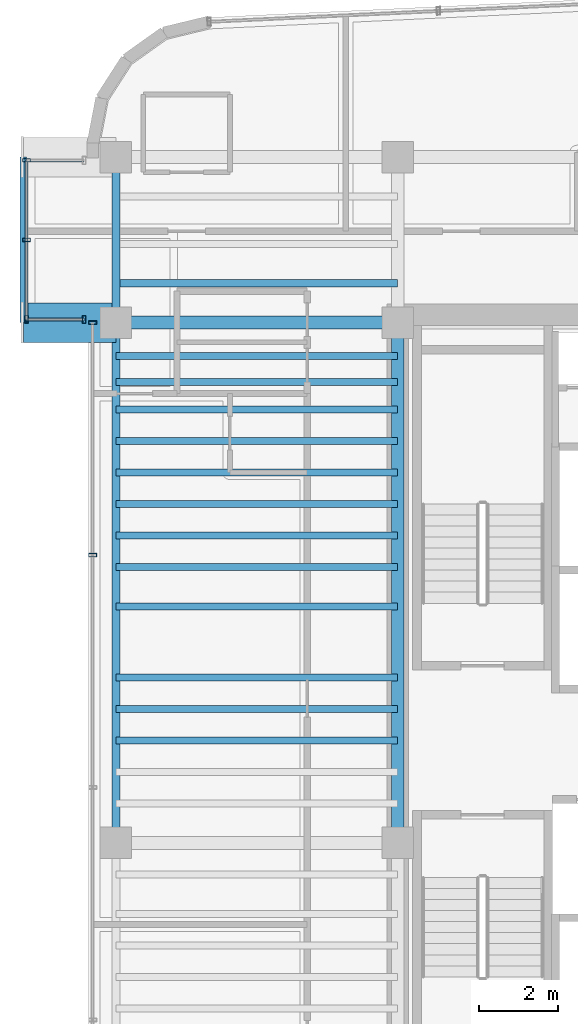
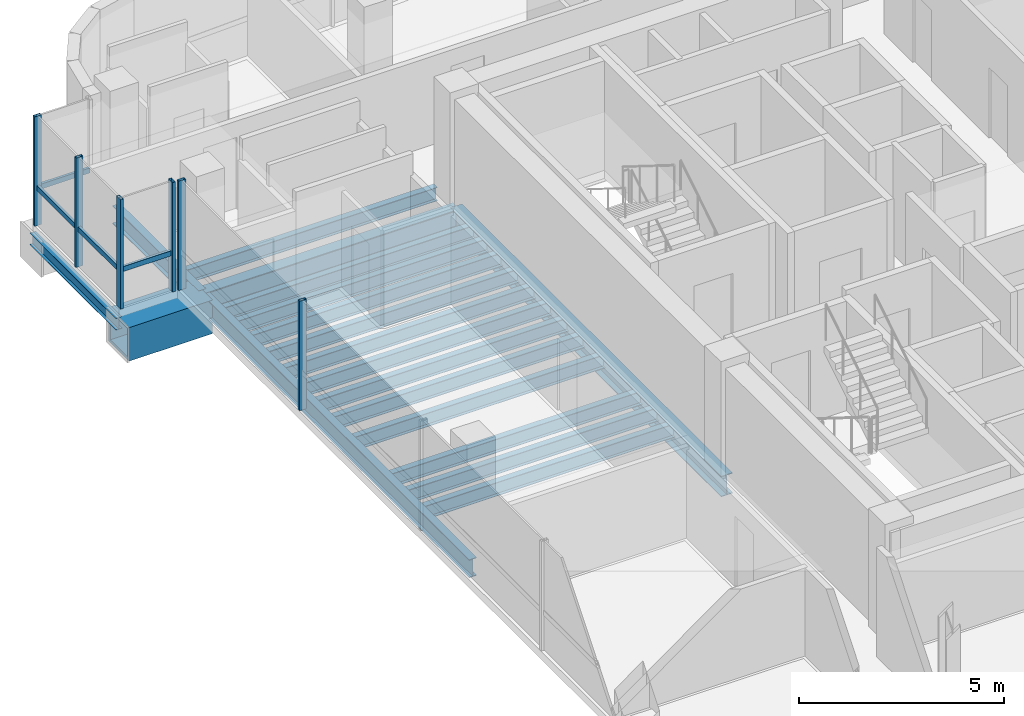
# One storey, part 7 of 20: 19 beams, 9 members, 4 elements without a shape of their own.
"""IFC4 building model written with IfcOpenShell, lengths in metres."""

from ifc_helpers import new_model, si_unit, direction, frame, origin, origin_2d, place, context, subcontext, project, spatial, hollow_rectangle, i_section, extrude, source, transform, mapped, material, material_profile, profile_set, type_object, element, aggregate, save


model = new_model("IFC4")

# Units and contexts
model_context = context("Model", 3, precision=1e-05, world=origin(), true_north=direction((0.0, 1.0)))
body_context = subcontext(model_context, "Body", "Model", "MODEL_VIEW")
ifc_project = project(units=[si_unit("LENGTHUNIT", "METRE"), si_unit("AREAUNIT", "SQUARE_METRE"), si_unit("VOLUMEUNIT", "CUBIC_METRE"), si_unit("PLANEANGLEUNIT", "RADIAN"), si_unit("MASSUNIT", "GRAM", prefix="KILO")], contexts=[model_context])

# Site, building, storey
site_placement = place(None, origin())
site = spatial("IfcSite", under=ifc_project, at=site_placement, CompositionType="ELEMENT")
building_placement = place(site_placement, origin())
building = spatial("IfcBuilding", under=site, at=building_placement, Name="Valdorenza Pilgrim Sanctuary Tower", CompositionType="ELEMENT")
storey_placement = place(building_placement, frame((0.0, 0.0, 283.5)))
storey = spatial("IfcBuildingStorey", under=building, at=storey_placement, Name="L74", CompositionType="ELEMENT", Elevation=283.5)

# Beams
ifc_material_1 = material(Name="Steel ASTM A992 Grade 50", Category="steel")
ifc_material_profile_1 = material_profile(ifc_material_1, i_section(OverallWidth=0.323974609375, OverallDepth=0.611083984375, WebThickness=0.0126953125, FlangeThickness=0.01904296875, at=origin_2d()), Name="W24X104")
ifc_profile_set_1 = profile_set([ifc_material_profile_1], Name="Steel ASTM A992 Grade 50")
beam_type_1 = type_object("IfcBeamType", Name="STR-BM-GRD-W24B", PredefinedType="BEAM", material=ifc_profile_set_1)
shared_shape_1 = source(origin(), body_context, "Body", "SweptSolid", [
    extrude(i_section(OverallWidth=0.323974609375, OverallDepth=0.611083984375, WebThickness=0.0126953125, FlangeThickness=0.01904296875, at=origin_2d()), origin(), (0.0, 0.0, 1.0), 13.2001953125),
])
beam_1_placement = place(storey_placement, frame((-22.64990234375, -2.60009765625, -0.54541015625), z_axis=(0.0, 1.0, 0.0), x_axis=(-1.0, 0.0, 0.0)))
element("IfcBeam", 1, at=beam_1_placement, inside=storey, type_object=beam_type_1, Name="L74 Core Tie Girder CA-W-M0N1", PredefinedType="BEAM", context=body_context, shape_type="MappedRepresentation", body=[
    mapped(shared_shape_1, transform((0.0, 0.0, 0.0), x_axis=(1.0, 0.0, 0.0), y_axis=(0.0, 1.0, 0.0), z_axis=(0.0, 0.0, 1.0), scale=1.0)),
])
ifc_material_profile_2 = material_profile(ifc_material_1, i_section(OverallWidth=0.1708984375, OverallDepth=0.35107421875, WebThickness=0.0068359375, FlangeThickness=0.009765625, at=origin_2d()), Name="W14X30")
ifc_profile_set_2 = profile_set([ifc_material_profile_2], Name="Steel ASTM A992 Grade 50")
beam_type_2 = type_object("IfcBeamType", Name="STR-BM-BOX-W14", PredefinedType="BEAM", material=ifc_profile_set_2)
shared_shape_2 = source(origin(), body_context, "Body", "SweptSolid", [
    extrude(i_section(OverallWidth=0.1708984375, OverallDepth=0.35107421875, WebThickness=0.0068359375, FlangeThickness=0.009765625, at=origin_2d()), origin(), (0.0, 0.0, 1.0), 4.199951171875),
])
beam_2_placement = place(storey_placement, frame((-32.14990234375, 10.60009765625, -0.41552734375), z_axis=(0.0, 1.0, 0.0), x_axis=(-1.0, 0.0, 0.0)))
element("IfcBeam", 2, at=beam_2_placement, inside=storey, type_object=beam_type_2, Name="L74 Glass Box Edge Beam BOX-WA-L74-F", PredefinedType="BEAM", context=body_context, shape_type="MappedRepresentation", body=[
    mapped(shared_shape_2, transform((0.0, 0.0, 0.0), x_axis=(1.0, 0.0, 0.0), y_axis=(0.0, 1.0, 0.0), z_axis=(0.0, 0.0, 1.0), scale=1.0)),
])
ifc_material_profile_3 = material_profile(ifc_material_1, i_section(OverallWidth=0.2109375, OverallDepth=0.5390625, WebThickness=0.01171875, FlangeThickness=0.018798828125, at=origin_2d()), Name="W21X73")
ifc_profile_set_3 = profile_set([ifc_material_profile_3], Name="Steel ASTM A992 Grade 50")
beam_type_3 = type_object("IfcBeamType", Name="STR-BM-SPN-W21B", PredefinedType="SPANDREL", material=ifc_profile_set_3)
shared_shape_3 = source(origin(), body_context, "Body", "SweptSolid", [
    extrude(i_section(OverallWidth=0.2109375, OverallDepth=0.5390625, WebThickness=0.01171875, FlangeThickness=0.018798828125, at=origin_2d()), origin(), (0.0, 0.0, 1.0), 13.2001953125),
])
beam_3_placement = place(storey_placement, frame((-29.800048828125, -2.60009765625, -0.509521484375), z_axis=(0.0, 1.0, 0.0), x_axis=(-1.0, 0.0, 0.0)))
element("IfcBeam", 3, at=beam_3_placement, inside=storey, type_object=beam_type_3, Name="L74 Spandrel Beam WA-W-M0N1", PredefinedType="SPANDREL", context=body_context, shape_type="MappedRepresentation", body=[
    mapped(shared_shape_3, transform((0.0, 0.0, 0.0), x_axis=(1.0, 0.0, 0.0), y_axis=(0.0, 1.0, 0.0), z_axis=(0.0, 0.0, 1.0), scale=1.0)),
])
shared_shape_4 = source(origin(), body_context, "Body", "SweptSolid", [
    extrude(i_section(OverallWidth=0.2109375, OverallDepth=0.5390625, WebThickness=0.01171875, FlangeThickness=0.018798828125, at=origin_2d()), origin(), (0.0, 0.0, 1.0), 4.199951171875),
])
beam_4_placement = place(storey_placement, frame((-29.800048828125, 10.60009765625, -0.509521484375), z_axis=(0.0, 1.0, 0.0), x_axis=(-1.0, 0.0, 0.0)))
element("IfcBeam", 4, at=beam_4_placement, inside=storey, type_object=beam_type_3, Name="L74 Spandrel Beam WA-W-N1N2", PredefinedType="SPANDREL", context=body_context, shape_type="MappedRepresentation", body=[
    mapped(shared_shape_4, transform((0.0, 0.0, 0.0), x_axis=(1.0, 0.0, 0.0), y_axis=(0.0, 1.0, 0.0), z_axis=(0.0, 0.0, 1.0), scale=1.0)),
])
ifc_material_profile_4 = material_profile(ifc_material_1, i_section(OverallWidth=0.177978515625, OverallDepth=0.406005859375, WebThickness=0.0078125, FlangeThickness=0.0126953125, at=origin_2d()), Name="W16X40")
ifc_profile_set_4 = profile_set([ifc_material_profile_4], Name="Steel ASTM A992 Grade 50")
beam_type_4 = type_object("IfcBeamType", Name="STR-BM-JST-W16", PredefinedType="JOIST", material=ifc_profile_set_4)
shared_shape_5 = source(origin(), body_context, "Body", "SweptSolid", [
    extrude(i_section(OverallWidth=0.177978515625, OverallDepth=0.406005859375, WebThickness=0.0078125, FlangeThickness=0.0126953125, at=origin_2d()), origin(), (0.0, 0.0, 1.0), 7.150146484375),
])
for number, where, z_axis, x_axis, name in (
    (5, (-29.800048828125, 0.0, -0.443115234375), (1.0, 0.0, 0.0), (0.0, 1.0, 0.0), "L74 Composite Floor Joist JST-WA-12"),
    (6, (-29.800048828125, 0.800048828125, -0.443115234375), (1.0, 0.0, 0.0), (0.0, 1.0, 0.0), "L74 Composite Floor Joist JST-WA-13"),
    (7, (-29.800048828125, 1.60009765625, -0.443115234375), (1.0, 0.0, 0.0), (0.0, 1.0, 0.0), "L74 Composite Floor Joist JST-WA-14"),
    (8, (-29.800048828125, 3.39990234375, -0.443115234375), (1.0, 0.0, 0.0), (0.0, 1.0, 0.0), "L74 Composite Floor Joist JST-WA-15"),
    (9, (-29.800048828125, 4.39990234375, -0.443115234375), (1.0, 0.0, 0.0), (0.0, 1.0, 0.0), "L74 Composite Floor Joist JST-WA-16"),
    (10, (-29.800048828125, 5.199951171875, -0.443115234375), (1.0, 0.0, 0.0), (0.0, 1.0, 0.0), "L74 Composite Floor Joist JST-WA-17"),
    (11, (-29.800048828125, 6.0, -0.443115234375), (1.0, 0.0, 0.0), (0.0, 1.0, 0.0), "L74 Composite Floor Joist JST-WA-18"),
    (12, (-29.800048828125, 6.800048828125, -0.443115234375), (1.0, 0.0, 0.0), (0.0, 1.0, 0.0), "L74 Composite Floor Joist JST-WA-19"),
    (13, (-29.800048828125, 7.60009765625, -0.443115234375), (1.0, 0.0, 0.0), (0.0, 1.0, 0.0), "L74 Composite Floor Joist JST-WA-20"),
    (14, (-29.800048828125, 8.39990234375, -0.443115234375), (1.0, 0.0, 0.0), (0.0, 1.0, 0.0), "L74 Composite Floor Joist JST-WA-21"),
    (15, (-29.800048828125, 9.10009765625, -0.443115234375), (1.0, 0.0, 0.0), (0.0, 1.0, 0.0), "L74 Composite Floor Joist JST-WA-22"),
    (16, (-29.800048828125, 9.75, -0.443115234375), (1.0, 0.0, 0.0), (0.0, 1.0, 0.0), "L74 Composite Floor Joist JST-WA-23"),
    (17, (-29.800048828125, 11.60009765625, -0.443115234375), (1.0, 0.0, 0.0), (0.0, 1.0, 0.0), "L74 Composite Floor Joist JST-WA-24"),
):
    element("IfcBeam", number, at=place(storey_placement, frame(where, z_axis=z_axis, x_axis=x_axis)), inside=storey, type_object=beam_type_4, Name=name, PredefinedType="JOIST", context=body_context, shape_type="MappedRepresentation", body=[
        mapped(shared_shape_5, transform((0.0, 0.0, 0.0), x_axis=(1.0, 0.0, 0.0), y_axis=(0.0, 1.0, 0.0), z_axis=(0.0, 0.0, 1.0), scale=1.0)),
    ])
ifc_material_2 = material(Name="Steel ASTM A572 Grade 42", Category="steel")
ifc_material_profile_5 = material_profile(ifc_material_2, hollow_rectangle(XDim=1.0, YDim=1.0, WallThickness=0.080078125, at=origin_2d()), Name="BOX 1000x1000x80")
ifc_profile_set_5 = profile_set([ifc_material_profile_5], Name="Steel ASTM A572 Grade 42")
beam_type_5 = type_object("IfcBeamType", Name="STR-BM-PROW-CANT", PredefinedType="BEAM", material=ifc_profile_set_5)
shared_shape_6 = source(origin(), body_context, "Body", "SweptSolid", [
    extrude(hollow_rectangle(XDim=1.0, YDim=1.0, WallThickness=0.080078125, at=origin_2d()), origin(), (0.0, 0.0, 1.0), 2.349853515625),
])
beam_5_placement = place(storey_placement, frame((-29.800048828125, 10.60009765625, -0.739990234375), z_axis=(-1.0, 0.0, 0.0), x_axis=(0.0, -1.0, 0.0)))
element("IfcBeam", 18, at=beam_5_placement, inside=storey, type_object=beam_type_5, Name="L74 Glass Box Cantilever Beam BOX-WA-L74-CT-S", PredefinedType="BEAM", context=body_context, shape_type="MappedRepresentation", body=[
    mapped(shared_shape_6, transform((0.0, 0.0, 0.0), x_axis=(1.0, 0.0, 0.0), y_axis=(0.0, 1.0, 0.0), z_axis=(0.0, 0.0, 1.0), scale=1.0)),
])
ifc_material_profile_6 = material_profile(ifc_material_1, i_section(OverallWidth=0.326904296875, OverallDepth=0.6220703125, WebThickness=0.015380859375, FlangeThickness=0.0244140625, at=origin_2d()), Name="W24X131")
ifc_profile_set_6 = profile_set([ifc_material_profile_6], Name="Steel ASTM A992 Grade 50")
beam_type_6 = type_object("IfcBeamType", Name="STR-BM-GRD-W24A", PredefinedType="BEAM", material=ifc_profile_set_6)
shared_shape_7 = source(origin(), body_context, "Body", "SweptSolid", [
    extrude(i_section(OverallWidth=0.326904296875, OverallDepth=0.6220703125, WebThickness=0.015380859375, FlangeThickness=0.0244140625, at=origin_2d()), origin(), (0.0, 0.0, 1.0), 7.150146484375),
])
beam_6_placement = place(storey_placement, frame((-29.800048828125, 10.60009765625, -0.551025390625), z_axis=(1.0, 0.0, 0.0), x_axis=(0.0, 1.0, 0.0)))
element("IfcBeam", 19, at=beam_6_placement, inside=storey, type_object=beam_type_6, Name="L74 Floor Girder WA-XW-N1", PredefinedType="BEAM", context=body_context, shape_type="MappedRepresentation", body=[
    mapped(shared_shape_7, transform((0.0, 0.0, 0.0), x_axis=(1.0, 0.0, 0.0), y_axis=(0.0, 1.0, 0.0), z_axis=(0.0, 0.0, 1.0), scale=1.0)),
])

# Curtain wall, member
ifc_material_3 = material(Name="Curtain-wall IGU glazing", Category="glass")
curtain_wall_type = type_object("IfcCurtainWallType", Name="CW-SYS-02", PredefinedType="NOTDEFINED", material=ifc_material_3)
curtain_wall_1_placement = place(storey_placement, origin())
curtain_wall_1 = element("IfcCurtainWall", 20, at=curtain_wall_1_placement, inside=storey, type_object=curtain_wall_type, Name="L74 Curtain Wall CW-L74-BOX-WA-L74-S", PredefinedType="NOTDEFINED")
ifc_material_4 = material(Name="Anodised aluminium AW-6060", Category="aluminium")
ifc_material_profile_7 = material_profile(ifc_material_4, hollow_rectangle(XDim=0.074951171875, YDim=0.14990234375, WallThickness=0.00390625, at=origin_2d()), Name="ALU-T 150x75x4")
ifc_profile_set_7 = profile_set([ifc_material_profile_7], Name="Anodised aluminium AW-6060")
member_type_1 = type_object("IfcMemberType", Name="CW-TRN-02", PredefinedType="USERDEFINED", material=ifc_profile_set_7)
shared_shape_8 = source(origin(), body_context, "Body", "SweptSolid", [
    extrude(hollow_rectangle(XDim=0.074951171875, YDim=0.14990234375, WallThickness=0.00390625, at=origin_2d()), origin(), (0.0, 0.0, 1.0), 1.4599609375),
])
member_1_placement = place(storey_placement, frame((-30.610107421875, 10.679931640625, 1.1201171875), z_axis=(-1.0, 0.0, 0.0), x_axis=(0.0, -1.0, 0.0)))
member_1 = element("IfcMember", 21, at=member_1_placement, type_object=member_type_1, Name="CW-L74-BOX-WA-L74-S Transom 1", ObjectType="TRANSOM", PredefinedType="USERDEFINED", context=body_context, shape_type="MappedRepresentation", body=[
    mapped(shared_shape_8, transform((0.0, 0.0, 0.0), x_axis=(1.0, 0.0, 0.0), y_axis=(0.0, 1.0, 0.0), z_axis=(0.0, 0.0, 1.0), scale=1.0)),
])

curtain_wall_2_placement = place(storey_placement, origin())
curtain_wall_2 = element("IfcCurtainWall", 22, at=curtain_wall_2_placement, inside=storey, type_object=curtain_wall_type, Name="L74 Curtain Wall CW-L74-BOX-WA-L74-N", PredefinedType="NOTDEFINED")
member_2_placement = place(storey_placement, frame((-32.070068359375, 14.719970703125, 1.1201171875), z_axis=(1.0, 0.0, 0.0), x_axis=(0.0, 1.0, 0.0)))
member_2 = element("IfcMember", 23, at=member_2_placement, type_object=member_type_1, Name="CW-L74-BOX-WA-L74-N Transom 1", ObjectType="TRANSOM", PredefinedType="USERDEFINED", context=body_context, shape_type="MappedRepresentation", body=[
    mapped(shared_shape_8, transform((0.0, 0.0, 0.0), x_axis=(1.0, 0.0, 0.0), y_axis=(0.0, 1.0, 0.0), z_axis=(0.0, 0.0, 1.0), scale=1.0)),
])
aggregate(curtain_wall_2, [member_2])

curtain_wall_3_placement = place(storey_placement, origin())
curtain_wall_3 = element("IfcCurtainWall", 24, at=curtain_wall_3_placement, inside=storey, type_object=curtain_wall_type, Name="L74 Curtain Wall CW-L74-BOX-WA-L74-F", PredefinedType="NOTDEFINED")
shared_shape_9 = source(origin(), body_context, "Body", "SweptSolid", [
    extrude(hollow_rectangle(XDim=0.074951171875, YDim=0.14990234375, WallThickness=0.00390625, at=origin_2d()), origin(), (0.0, 0.0, 1.0), 4.0400390625),
])
member_3_placement = place(storey_placement, frame((-32.070068359375, 10.679931640625, 1.1201171875), z_axis=(0.0, 1.0, 0.0), x_axis=(-1.0, 0.0, 0.0)))
member_3 = element("IfcMember", 25, at=member_3_placement, type_object=member_type_1, Name="CW-L74-BOX-WA-L74-F Transom 1", ObjectType="TRANSOM", PredefinedType="USERDEFINED", context=body_context, shape_type="MappedRepresentation", body=[
    mapped(shared_shape_9, transform((0.0, 0.0, 0.0), x_axis=(1.0, 0.0, 0.0), y_axis=(0.0, 1.0, 0.0), z_axis=(0.0, 0.0, 1.0), scale=1.0)),
])

# Curtain wall, members
curtain_wall_4_placement = place(storey_placement, origin())
curtain_wall_4 = element("IfcCurtainWall", 26, at=curtain_wall_4_placement, inside=storey, type_object=curtain_wall_type, Name="L74 Curtain Wall CW-L74-1-1S1", PredefinedType="NOTDEFINED")
ifc_material_profile_8 = material_profile(ifc_material_4, hollow_rectangle(XDim=0.0849609375, YDim=0.199951171875, WallThickness=0.0048828125, at=origin_2d()), Name="ALU-M 200x85x5")
ifc_profile_set_8 = profile_set([ifc_material_profile_8], Name="Anodised aluminium AW-6060")
member_type_2 = type_object("IfcMemberType", Name="CW-MUL-02", PredefinedType="MULLION", material=ifc_profile_set_8)
shared_shape_10 = source(origin(), body_context, "Body", "SweptSolid", [
    extrude(hollow_rectangle(XDim=0.0849609375, YDim=0.199951171875, WallThickness=0.0048828125, at=origin_2d()), origin(), (0.0, 0.0, 1.0), 3.260009765625),
])
member_4_placement = place(storey_placement, frame((-30.389892578125, 4.70263671875, 0.0), z_axis=(0.0, 0.0, 1.0), x_axis=(0.0, 1.0, 0.0)))
member_4 = element("IfcMember", 27, at=member_4_placement, type_object=member_type_2, Name="CW-L74-1-1S1 Mullion 4", PredefinedType="MULLION", context=body_context, shape_type="MappedRepresentation", body=[
    mapped(shared_shape_10, transform((0.0, 0.0, 0.0), x_axis=(1.0, 0.0, 0.0), y_axis=(0.0, 1.0, 0.0), z_axis=(0.0, 0.0, 1.0), scale=1.0)),
])
member_5_placement = place(storey_placement, frame((-30.389892578125, 10.60009765625, 0.0), z_axis=(0.0, 0.0, 1.0), x_axis=(0.0, 1.0, 0.0)))
member_5 = element("IfcMember", 28, at=member_5_placement, type_object=member_type_2, Name="CW-L74-1-1S1 Mullion 5", PredefinedType="MULLION", context=body_context, shape_type="MappedRepresentation", body=[
    mapped(shared_shape_10, transform((0.0, 0.0, 0.0), x_axis=(1.0, 0.0, 0.0), y_axis=(0.0, 1.0, 0.0), z_axis=(0.0, 0.0, 1.0), scale=1.0)),
])
aggregate(curtain_wall_4, [member_4, member_5])

# Member
member_6_placement = place(storey_placement, frame((-30.610107421875, 10.679931640625, 0.0), z_axis=(0.0, 0.0, 1.0), x_axis=(-1.0, 0.0, 0.0)))
member_6 = element("IfcMember", 29, at=member_6_placement, type_object=member_type_2, Name="CW-L74-BOX-WA-L74-S Mullion 1", PredefinedType="MULLION", context=body_context, shape_type="MappedRepresentation", body=[
    mapped(shared_shape_10, transform((0.0, 0.0, 0.0), x_axis=(1.0, 0.0, 0.0), y_axis=(0.0, 1.0, 0.0), z_axis=(0.0, 0.0, 1.0), scale=1.0)),
])

member_7_placement = place(storey_placement, frame((-32.070068359375, 10.679931640625, 0.0), z_axis=(0.0, 0.0, 1.0), x_axis=(-1.0, 0.0, 0.0)))
member_7 = element("IfcMember", 30, at=member_7_placement, type_object=member_type_2, Name="CW-L74-BOX-WA-L74-S Mullion 2", PredefinedType="MULLION", context=body_context, shape_type="MappedRepresentation", body=[
    mapped(shared_shape_10, transform((0.0, 0.0, 0.0), x_axis=(1.0, 0.0, 0.0), y_axis=(0.0, 1.0, 0.0), z_axis=(0.0, 0.0, 1.0), scale=1.0)),
])

aggregate(curtain_wall_1, [member_6, member_7, member_1])

member_8_placement = place(storey_placement, frame((-32.070068359375, 12.699951171875, 0.0), z_axis=(0.0, 0.0, 1.0), x_axis=(0.0, 1.0, 0.0)))
member_8 = element("IfcMember", 31, at=member_8_placement, type_object=member_type_2, Name="CW-L74-BOX-WA-L74-F Mullion 2", PredefinedType="MULLION", context=body_context, shape_type="MappedRepresentation", body=[
    mapped(shared_shape_10, transform((0.0, 0.0, 0.0), x_axis=(1.0, 0.0, 0.0), y_axis=(0.0, 1.0, 0.0), z_axis=(0.0, 0.0, 1.0), scale=1.0)),
])

member_9_placement = place(storey_placement, frame((-32.070068359375, 14.719970703125, 0.0), z_axis=(0.0, 0.0, 1.0), x_axis=(0.0, 1.0, 0.0)))
member_9 = element("IfcMember", 32, at=member_9_placement, type_object=member_type_2, Name="CW-L74-BOX-WA-L74-F Mullion 3", PredefinedType="MULLION", context=body_context, shape_type="MappedRepresentation", body=[
    mapped(shared_shape_10, transform((0.0, 0.0, 0.0), x_axis=(1.0, 0.0, 0.0), y_axis=(0.0, 1.0, 0.0), z_axis=(0.0, 0.0, 1.0), scale=1.0)),
])

aggregate(curtain_wall_3, [member_8, member_9, member_3])

save(model, "model.ifc")
